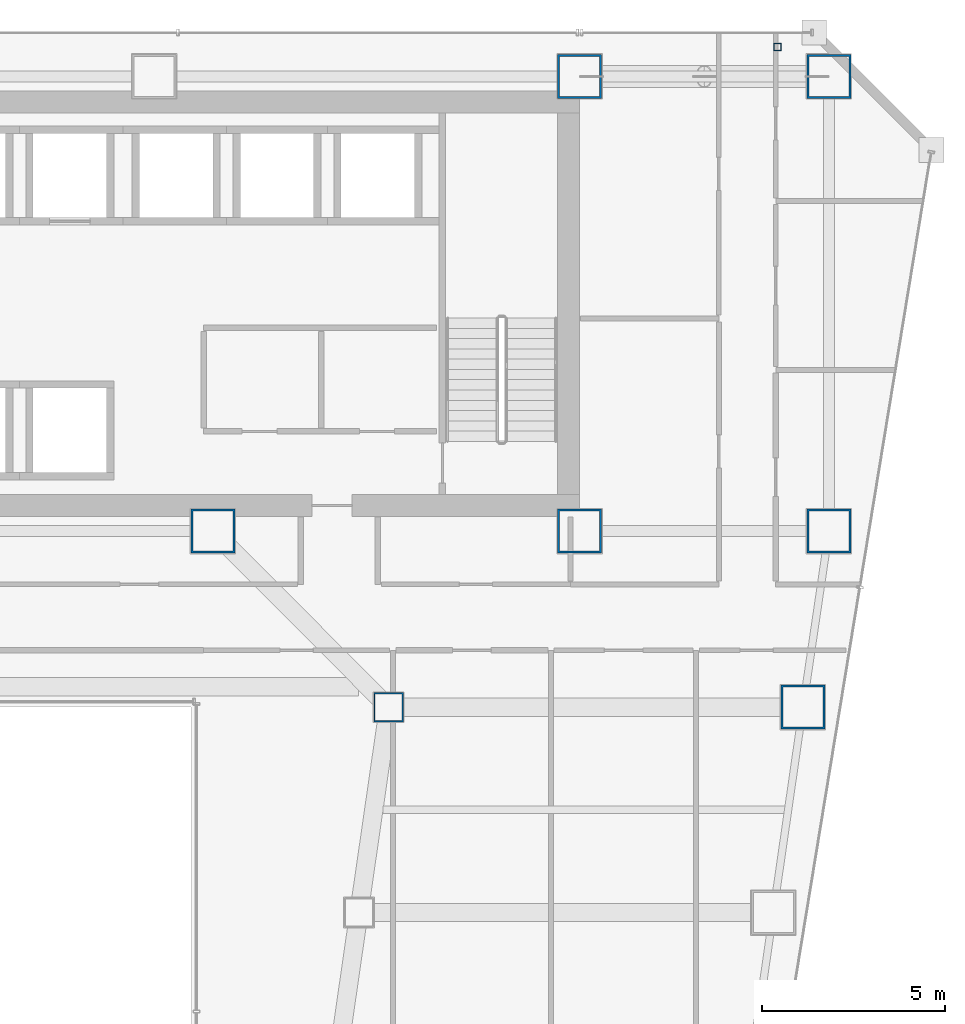
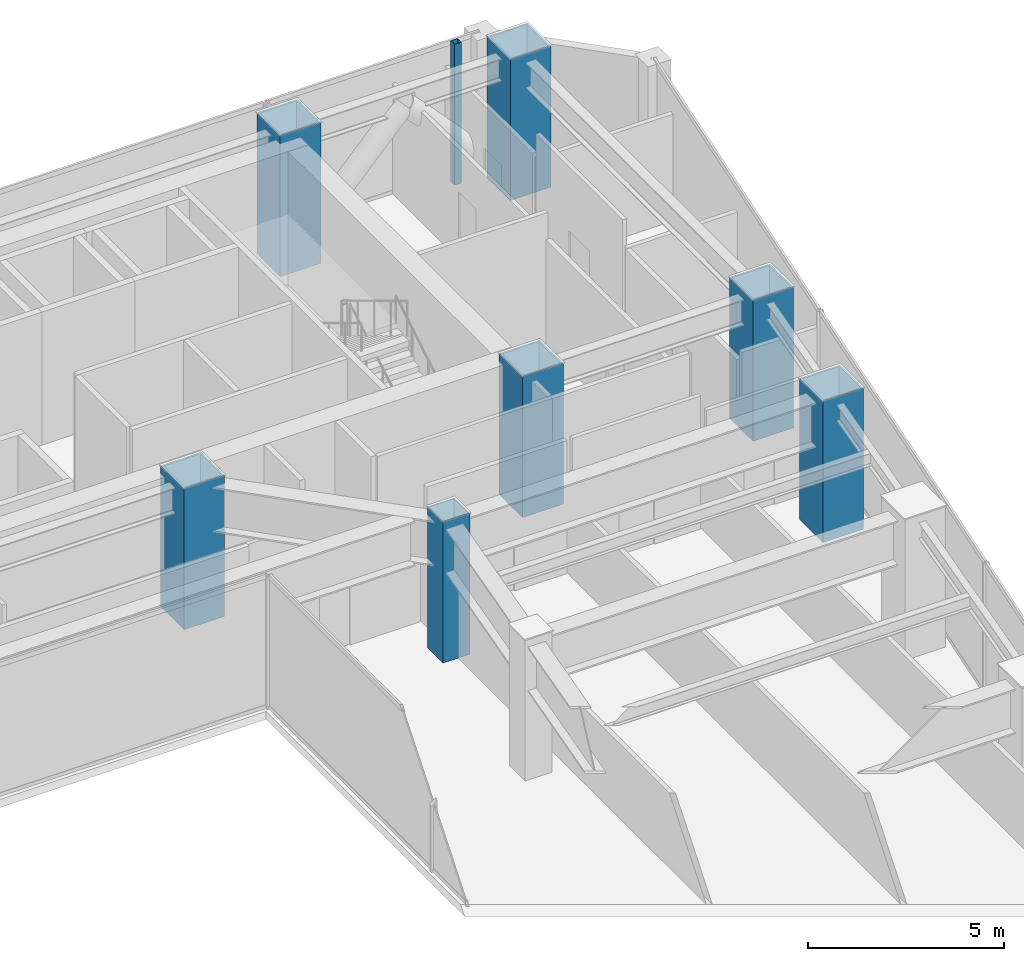
# One storey, part 3 of 40: 8 columns.
"""IFC4 building model written with IfcOpenShell, lengths in metres."""

from ifc_helpers import new_model, si_unit, direction, frame, origin, origin_2d, place, context, subcontext, project, spatial, hollow_rectangle, extrude, material, material_profile, profile_set, type_object, element, save


model = new_model("IFC4")

# Units and contexts
model_context = context("Model", 3, precision=1e-05, world=origin(), true_north=direction((0.0, 1.0)))
body_context = subcontext(model_context, "Body", "Model", "MODEL_VIEW")
ifc_project = project(units=[si_unit("LENGTHUNIT", "METRE"), si_unit("AREAUNIT", "SQUARE_METRE"), si_unit("VOLUMEUNIT", "CUBIC_METRE"), si_unit("PLANEANGLEUNIT", "RADIAN"), si_unit("MASSUNIT", "GRAM", prefix="KILO")], contexts=[model_context])

# Site, building, storey
site_placement = place(None, origin())
site = spatial("IfcSite", under=ifc_project, at=site_placement, CompositionType="ELEMENT")
building_placement = place(site_placement, origin())
building = spatial("IfcBuilding", under=site, at=building_placement, Name="Saevonmaru Cultural Tower", CompositionType="ELEMENT")
storey_placement = place(building_placement, frame((0.0, 0.0, 97.199951171875)))
storey = spatial("IfcBuildingStorey", under=building, at=storey_placement, Name="L20", CompositionType="ELEMENT", Elevation=97.199951171875)

# Columns
ifc_material_1 = material(Name="Steel HSA600 (600 MPa)", Category="steel")
ifc_material_profile_1 = material_profile(ifc_material_1, hollow_rectangle(XDim=1.199951171875, YDim=1.199951171875, WallThickness=0.054931640625, at=origin_2d()), Name="BOX-1200x1200x55")
ifc_profile_set_1 = profile_set([ifc_material_profile_1], Name="Steel HSA600 (600 MPa)")
column_type_1 = type_object("IfcColumnType", Name="COL-BOX-1200", PredefinedType="COLUMN", material=ifc_profile_set_1)
for number, where, z_axis, x_axis, name in (
    (1, (46.39990234375, 54.800048828125, 0.0), (0.0, 0.0, 1.0), (1.0, 0.0, 0.0), "L20 Column TC-N5N"),
    (2, (53.199951171875, 54.800048828125, 0.0), (0.0, 0.0, 1.0), (1.0, 0.0, 0.0), "L20 Column TC-N6N"),
    (3, (36.39990234375, 42.39990234375, 0.0), (0.0, 0.0, 1.0), (1.0, 0.0, 0.0), "L20 Column TC-S4C"),
    (4, (46.39990234375, 42.39990234375, 0.0), (0.0, 0.0, 1.0), (1.0, 0.0, 0.0), "L20 Column TC-S5C"),
    (5, (53.199951171875, 42.39990234375, 0.0), (0.0, 0.0, 1.0), (1.0, 0.0, 0.0), "L20 Column TC-S6C"),
    (6, (52.491943359375, 37.60009765625, 0.0), (0.0, 0.0, 1.0), (1.0, 0.0, 0.0), "L20 Column TC-EO-Y376"),
):
    element("IfcColumn", number, at=place(storey_placement, frame(where, z_axis=z_axis, x_axis=x_axis)), inside=storey, type_object=column_type_1, Name=name, PredefinedType="COLUMN", context=body_context, shape_type="SweptSolid", body=[
        extrude(hollow_rectangle(XDim=1.199951171875, YDim=1.199951171875, WallThickness=0.054931640625, at=origin_2d()), origin(), (0.0, 0.0, 1.0), 4.400146484375),
    ])
ifc_material_2 = material(Name="Steel SM420", Category="steel")
ifc_material_profile_2 = material_profile(ifc_material_2, hollow_rectangle(XDim=0.800048828125, YDim=0.800048828125, WallThickness=0.035888671875, at=origin_2d()), Name="BOX-800x800x36")
ifc_profile_set_2 = profile_set([ifc_material_profile_2], Name="Steel SM420")
column_type_2 = type_object("IfcColumnType", Name="COL-BOX-800", PredefinedType="COLUMN", material=ifc_profile_set_2)
column_1_placement = place(storey_placement, frame((41.19189453125, 37.60009765625, 0.0), z_axis=(0.0, 0.0, 1.0), x_axis=(1.0, 0.0, 0.0)))
element("IfcColumn", 7, at=column_1_placement, inside=storey, type_object=column_type_2, Name="L20 Column TC-EI-Y376", PredefinedType="COLUMN", context=body_context, shape_type="SweptSolid", body=[
    extrude(hollow_rectangle(XDim=0.800048828125, YDim=0.800048828125, WallThickness=0.035888671875, at=origin_2d()), origin(), (0.0, 0.0, 1.0), 4.400146484375),
])
ifc_material_3 = material(Name="Steel SM355", Category="steel")
ifc_material_profile_3 = material_profile(ifc_material_3, hollow_rectangle(XDim=0.199951171875, YDim=0.199951171875, WallThickness=0.010009765625, at=origin_2d()), Name="SHS-200x200x10")
ifc_profile_set_3 = profile_set([ifc_material_profile_3], Name="Steel SM355")
column_type_3 = type_object("IfcColumnType", Name="PIL-SHS-200", PredefinedType="PILASTER", material=ifc_profile_set_3)
column_2_placement = place(storey_placement, frame((51.800048828125, 55.60009765625, 0.0), z_axis=(0.0, 0.0, 1.0), x_axis=(1.0, 0.0, 0.0)))
element("IfcColumn", 8, at=column_2_placement, inside=storey, type_object=column_type_3, Name="L20 Art Deco Bronze-Clad Pilaster PIL-NE", PredefinedType="PILASTER", context=body_context, shape_type="SweptSolid", body=[
    extrude(hollow_rectangle(XDim=0.199951171875, YDim=0.199951171875, WallThickness=0.010009765625, at=origin_2d()), origin(), (0.0, 0.0, 1.0), 4.400146484375),
])

save(model, "model.ifc")
